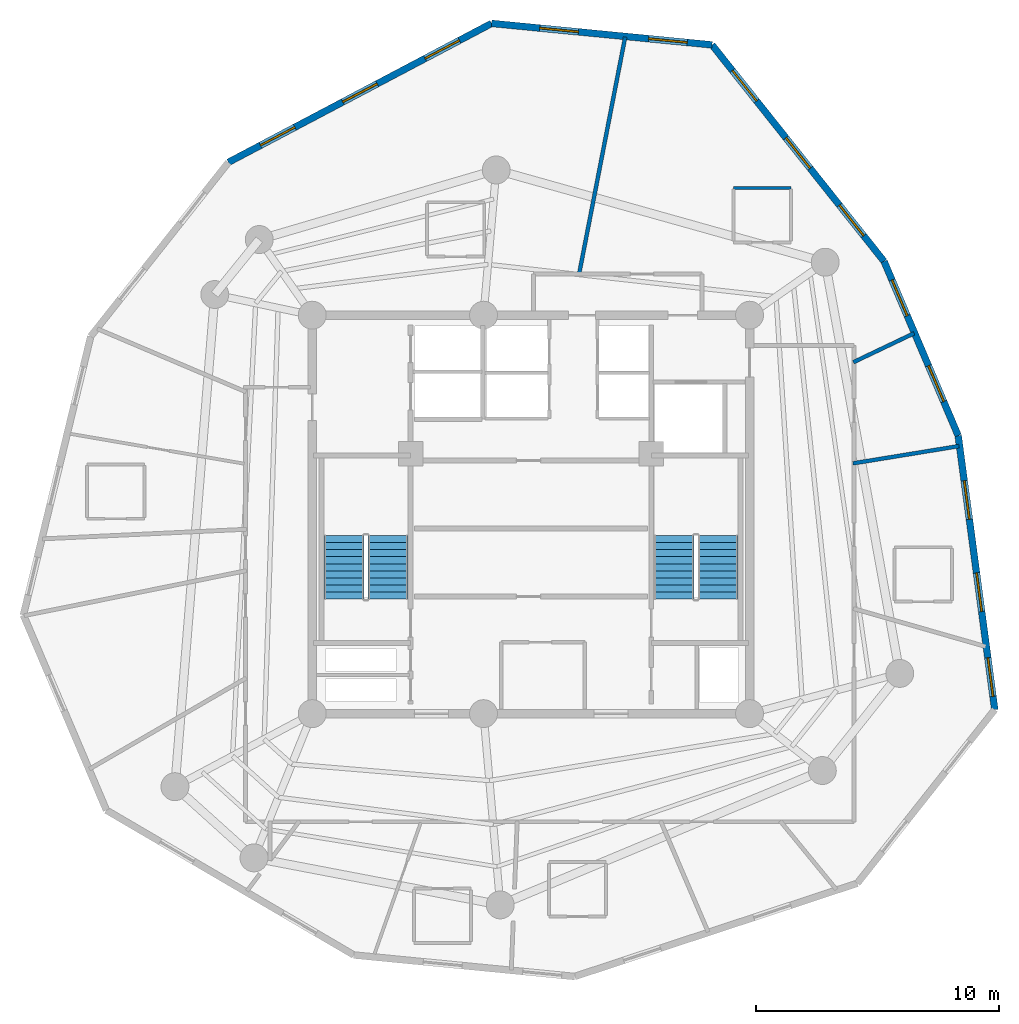
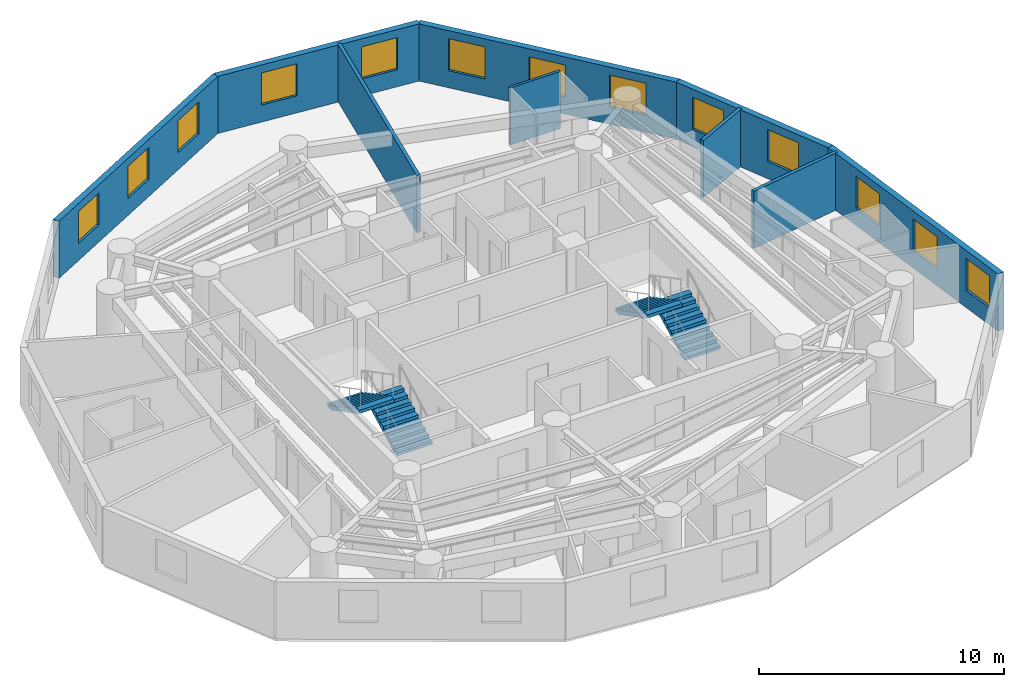
# One storey, part 6 of 7: 13 windows, 9 walls, 4 stair flights, 13 openings, 2 elements without a shape of their own.
"""IFC4 building model written with IfcOpenShell, lengths in metres."""

from ifc_helpers import new_model, si_unit, direction, frame, frame_2d, origin, origin_with_axes, place, context, subcontext, project, spatial, polyline, rectangle, outline, extrude, source, transform, mapped, material, layer, layer_set, type_object, element, fill, aggregate, save


model = new_model("IFC4")

# Units and contexts
model_context = context("Model", 3, precision=1e-05, world=origin(), true_north=direction((0.0, 1.0)))
body_context = subcontext(model_context, "Body", "Model", "MODEL_VIEW")
ifc_project = project(units=[si_unit("LENGTHUNIT", "METRE"), si_unit("AREAUNIT", "SQUARE_METRE"), si_unit("VOLUMEUNIT", "CUBIC_METRE"), si_unit("PLANEANGLEUNIT", "RADIAN"), si_unit("MASSUNIT", "GRAM", prefix="KILO")], contexts=[model_context])

# Site, building, storey
site_placement = place(None, origin())
site = spatial("IfcSite", under=ifc_project, at=site_placement, CompositionType="ELEMENT")
building_placement = place(site_placement, origin())
building = spatial("IfcBuilding", under=site, at=building_placement, Name="Karkom Vertical University and Central Library", CompositionType="ELEMENT")
storey_placement = place(building_placement, frame((0.0, 0.0, 244.35009765625)))
storey = spatial("IfcBuildingStorey", under=building, at=storey_placement, Name="L72", CompositionType="ELEMENT", Elevation=244.35009765625)

# Wall, openings, windows
ifc_material_1 = material(Name="Brick-faced precast concrete C45/55", Category="masonry")
ifc_layer_1 = layer(ifc_material_1, 0.280029296875)
ifc_layer_set_1 = layer_set([ifc_layer_1], Name="Brick-faced precast concrete C45/55")
wall_type_1 = type_object("IfcWallType", Name="ENV-WL-BRK-280", PredefinedType="SOLIDWALL", material=ifc_layer_set_1)
wall_1_placement = place(storey_placement, frame((47.593017578125, 18.464599609375, 0.0), z_axis=(0.0, 0.0, 1.0), x_axis=(-0.132294398072, 0.991210468185, 0.0)))
wall_1 = element("IfcWall", 1, at=wall_1_placement, inside=storey, type_object=wall_type_1, Name="Level 72 Brick-Faced Precast Facade Wall 06", PredefinedType="SOLIDWALL", context=body_context, shape_type="SweptSolid", body=[
    extrude(rectangle(XDim=11.380859375, YDim=0.280029296875, at=frame_2d((5.6904296875, 0.0))), origin(), (0.0, 0.0, 1.0), 2.849853515625),
])
opening_1_placement = place(wall_1_placement, frame((0.5498046875, 0.0, 0.85009765625)))
opening_1 = element("IfcOpeningElement", 2, at=opening_1_placement, cuts=wall_1, Name="Opening WN-10", PredefinedType="OPENING", context=body_context, shape_type="SweptSolid", body=[
    extrude(rectangle(XDim=1.60009765625, YDim=1.60009765625, at=frame_2d((0.800048828125, 0.800048828125))), frame((0.0, 0.14990234375, 0.0), z_axis=(0.0, -1.0, 0.0), x_axis=(1.0, 0.0, 0.0)), (0.0, 0.0, 1.0), 0.300048828125),
])
opening_2_placement = place(wall_1_placement, frame((4.076416015625, 0.0, 0.85009765625)))
opening_2 = element("IfcOpeningElement", 3, at=opening_2_placement, cuts=wall_1, Name="Opening WN-10", PredefinedType="OPENING", context=body_context, shape_type="SweptSolid", body=[
    extrude(rectangle(XDim=1.60009765625, YDim=1.60009765625, at=frame_2d((0.800048828125, 0.800048828125))), frame((0.0, 0.14990234375, 0.0), z_axis=(0.0, -1.0, 0.0), x_axis=(1.0, 0.0, 0.0)), (0.0, 0.0, 1.0), 0.300048828125),
])
opening_3_placement = place(wall_1_placement, frame((7.909912109375, 0.0, 0.85009765625)))
opening_3 = element("IfcOpeningElement", 4, at=opening_3_placement, cuts=wall_1, Name="Opening WN-10", PredefinedType="OPENING", context=body_context, shape_type="SweptSolid", body=[
    extrude(rectangle(XDim=1.60009765625, YDim=1.60009765625, at=frame_2d((0.800048828125, 0.800048828125))), frame((0.0, 0.14990234375, 0.0), z_axis=(0.0, -1.0, 0.0), x_axis=(1.0, 0.0, 0.0)), (0.0, 0.0, 1.0), 0.300048828125),
])
ifc_material_2 = material(Name="Aluminium thermal-break frame with solar-control IGU", Category="aluminium")
window_type = type_object("IfcWindowType", Name="ENV-WIN-WN-10", PartitioningType="SINGLE_PANEL", PredefinedType="WINDOW", material=ifc_material_2)
shared_shape = source(origin_with_axes(), body_context, "Body", "SweptSolid", [
    extrude(rectangle(XDim=1.60009765625, YDim=1.60009765625, at=frame_2d((0.800048828125, 0.800048828125))), frame((0.0, 0.030029296875, 0.0), z_axis=(0.0, -1.0, 0.0), x_axis=(1.0, 0.0, 0.0)), (0.0, 0.0, 1.0), 0.06005859375),
])
window_1_placement = place(opening_1_placement, origin())
window_1 = element("IfcWindow", 5, at=window_1_placement, inside=storey, type_object=window_type, Name="Level 72 Punched Window 6.1", OverallHeight=1.60009765625, OverallWidth=1.60009765625, PartitioningType="SINGLE_PANEL", PredefinedType="WINDOW", context=body_context, shape_type="MappedRepresentation", body=[
    mapped(shared_shape, transform((0.0, 0.0, 0.0), scale=1.0)),
])
fill(opening_1, window_1)
window_2_placement = place(opening_2_placement, origin())
window_2 = element("IfcWindow", 6, at=window_2_placement, inside=storey, type_object=window_type, Name="Level 72 Punched Window 6.2", OverallHeight=1.60009765625, OverallWidth=1.60009765625, PartitioningType="SINGLE_PANEL", PredefinedType="WINDOW", context=body_context, shape_type="MappedRepresentation", body=[
    mapped(shared_shape, transform((0.0, 0.0, 0.0), scale=1.0)),
])
fill(opening_2, window_2)
window_3_placement = place(opening_3_placement, origin())
window_3 = element("IfcWindow", 7, at=window_3_placement, inside=storey, type_object=window_type, Name="Level 72 Punched Window 6.3", OverallHeight=1.60009765625, OverallWidth=1.60009765625, PartitioningType="SINGLE_PANEL", PredefinedType="WINDOW", context=body_context, shape_type="MappedRepresentation", body=[
    mapped(shared_shape, transform((0.0, 0.0, 0.0), scale=1.0)),
])
fill(opening_3, window_3)

wall_2_placement = place(storey_placement, frame((46.08740234375, 29.745361328125, 0.0), z_axis=(0.0, 0.0, 1.0), x_axis=(-0.391396015151, 0.92022234233, 0.0)))
wall_2 = element("IfcWall", 8, at=wall_2_placement, inside=storey, type_object=wall_type_1, Name="Level 72 Brick-Faced Precast Facade Wall 07", PredefinedType="SOLIDWALL", context=body_context, shape_type="SweptSolid", body=[
    extrude(rectangle(XDim=7.79345703125, YDim=0.280029296875, at=frame_2d((3.896728515625, 0.0))), origin(), (0.0, 0.0, 1.0), 2.849853515625),
])
opening_4_placement = place(wall_2_placement, frame((1.52197265625, 0.0, 0.85009765625)))
opening_4 = element("IfcOpeningElement", 9, at=opening_4_placement, cuts=wall_2, Name="Opening WN-10", PredefinedType="OPENING", context=body_context, shape_type="SweptSolid", body=[
    extrude(rectangle(XDim=1.60009765625, YDim=1.60009765625, at=frame_2d((0.800048828125, 0.800048828125))), frame((0.0, 0.14990234375, 0.0), z_axis=(0.0, -1.0, 0.0), x_axis=(1.0, 0.0, 0.0)), (0.0, 0.0, 1.0), 0.300048828125),
])
opening_5_placement = place(wall_2_placement, frame((5.358642578125, 0.0, 0.85009765625)))
opening_5 = element("IfcOpeningElement", 10, at=opening_5_placement, cuts=wall_2, Name="Opening WN-10", PredefinedType="OPENING", context=body_context, shape_type="SweptSolid", body=[
    extrude(rectangle(XDim=1.60009765625, YDim=1.60009765625, at=frame_2d((0.800048828125, 0.800048828125))), frame((0.0, 0.14990234375, 0.0), z_axis=(0.0, -1.0, 0.0), x_axis=(1.0, 0.0, 0.0)), (0.0, 0.0, 1.0), 0.300048828125),
])
window_4_placement = place(opening_4_placement, origin())
window_4 = element("IfcWindow", 11, at=window_4_placement, inside=storey, type_object=window_type, Name="Level 72 Punched Window 7.1", OverallHeight=1.60009765625, OverallWidth=1.60009765625, PartitioningType="SINGLE_PANEL", PredefinedType="WINDOW", context=body_context, shape_type="MappedRepresentation", body=[
    mapped(shared_shape, transform((0.0, 0.0, 0.0), scale=1.0)),
])
fill(opening_4, window_4)
window_5_placement = place(opening_5_placement, origin())
window_5 = element("IfcWindow", 12, at=window_5_placement, inside=storey, type_object=window_type, Name="Level 72 Punched Window 7.2", OverallHeight=1.60009765625, OverallWidth=1.60009765625, PartitioningType="SINGLE_PANEL", PredefinedType="WINDOW", context=body_context, shape_type="MappedRepresentation", body=[
    mapped(shared_shape, transform((0.0, 0.0, 0.0), scale=1.0)),
])
fill(opening_5, window_5)

wall_3_placement = place(storey_placement, frame((43.037109375, 36.9169921875, 0.0), z_axis=(0.0, 0.0, 1.0), x_axis=(-0.622204013182, 0.782855137289, 0.0)))
wall_3 = element("IfcWall", 13, at=wall_3_placement, inside=storey, type_object=wall_type_1, Name="Level 72 Brick-Faced Precast Facade Wall 08", PredefinedType="SOLIDWALL", context=body_context, shape_type="SweptSolid", body=[
    extrude(rectangle(XDim=11.381103515625, YDim=0.280029296875, at=frame_2d((5.6904296875, 0.0))), origin(), (0.0, 0.0, 1.0), 2.849853515625),
])
opening_6_placement = place(wall_3_placement, frame((1.35009765625, 0.0, 0.85009765625)))
opening_6 = element("IfcOpeningElement", 14, at=opening_6_placement, cuts=wall_3, Name="Opening WN-10", PredefinedType="OPENING", context=body_context, shape_type="SweptSolid", body=[
    extrude(rectangle(XDim=1.60009765625, YDim=1.60009765625, at=frame_2d((0.800048828125, 0.800048828125))), frame((0.0, 0.14990234375, 0.0), z_axis=(0.0, -1.0, 0.0), x_axis=(1.0, 0.0, 0.0)), (0.0, 0.0, 1.0), 0.300048828125),
])
opening_7_placement = place(wall_3_placement, frame((4.890380859375, 0.0, 0.85009765625)))
opening_7 = element("IfcOpeningElement", 15, at=opening_7_placement, cuts=wall_3, Name="Opening WN-10", PredefinedType="OPENING", context=body_context, shape_type="SweptSolid", body=[
    extrude(rectangle(XDim=1.60009765625, YDim=1.60009765625, at=frame_2d((0.800048828125, 0.800048828125))), frame((0.0, 0.14990234375, 0.0), z_axis=(0.0, -1.0, 0.0), x_axis=(1.0, 0.0, 0.0)), (0.0, 0.0, 1.0), 0.300048828125),
])
opening_8_placement = place(wall_3_placement, frame((8.430908203125, 0.0, 0.85009765625)))
opening_8 = element("IfcOpeningElement", 16, at=opening_8_placement, cuts=wall_3, Name="Opening WN-10", PredefinedType="OPENING", context=body_context, shape_type="SweptSolid", body=[
    extrude(rectangle(XDim=1.60009765625, YDim=1.60009765625, at=frame_2d((0.800048828125, 0.800048828125))), frame((0.0, 0.14990234375, 0.0), z_axis=(0.0, -1.0, 0.0), x_axis=(1.0, 0.0, 0.0)), (0.0, 0.0, 1.0), 0.300048828125),
])
window_6_placement = place(opening_6_placement, origin())
window_6 = element("IfcWindow", 17, at=window_6_placement, inside=storey, type_object=window_type, Name="Level 72 Punched Window 8.1", OverallHeight=1.60009765625, OverallWidth=1.60009765625, PartitioningType="SINGLE_PANEL", PredefinedType="WINDOW", context=body_context, shape_type="MappedRepresentation", body=[
    mapped(shared_shape, transform((0.0, 0.0, 0.0), scale=1.0)),
])
fill(opening_6, window_6)
window_7_placement = place(opening_7_placement, origin())
window_7 = element("IfcWindow", 18, at=window_7_placement, inside=storey, type_object=window_type, Name="Level 72 Punched Window 8.2", OverallHeight=1.60009765625, OverallWidth=1.60009765625, PartitioningType="SINGLE_PANEL", PredefinedType="WINDOW", context=body_context, shape_type="MappedRepresentation", body=[
    mapped(shared_shape, transform((0.0, 0.0, 0.0), scale=1.0)),
])
fill(opening_7, window_7)
window_8_placement = place(opening_8_placement, origin())
window_8 = element("IfcWindow", 19, at=window_8_placement, inside=storey, type_object=window_type, Name="Level 72 Punched Window 8.3", OverallHeight=1.60009765625, OverallWidth=1.60009765625, PartitioningType="SINGLE_PANEL", PredefinedType="WINDOW", context=body_context, shape_type="MappedRepresentation", body=[
    mapped(shared_shape, transform((0.0, 0.0, 0.0), scale=1.0)),
])
fill(opening_8, window_8)

wall_4_placement = place(storey_placement, frame((35.955810546875, 45.82666015625, 0.0), z_axis=(0.0, 0.0, 1.0), x_axis=(-0.995292858233, 0.096912983398, 0.0)))
wall_4 = element("IfcWall", 20, at=wall_4_placement, inside=storey, type_object=wall_type_1, Name="Level 72 Brick-Faced Precast Facade Wall 09", PredefinedType="SOLIDWALL", context=body_context, shape_type="SweptSolid", body=[
    extrude(rectangle(XDim=9.116943359375, YDim=0.280029296875, at=frame_2d((4.55859375, 0.0))), origin(), (0.0, 0.0, 1.0), 2.849853515625),
])
opening_9_placement = place(wall_4_placement, frame((1.026611328125, 0.0, 0.85009765625)))
opening_9 = element("IfcOpeningElement", 21, at=opening_9_placement, cuts=wall_4, Name="Opening WN-10", PredefinedType="OPENING", context=body_context, shape_type="SweptSolid", body=[
    extrude(rectangle(XDim=1.60009765625, YDim=1.60009765625, at=frame_2d((0.800048828125, 0.800048828125))), frame((0.0, 0.14990234375, 0.0), z_axis=(0.0, -1.0, 0.0), x_axis=(1.0, 0.0, 0.0)), (0.0, 0.0, 1.0), 0.300048828125),
])
opening_10_placement = place(wall_4_placement, frame((5.525146484375, 0.0, 0.85009765625)))
opening_10 = element("IfcOpeningElement", 22, at=opening_10_placement, cuts=wall_4, Name="Opening WN-10", PredefinedType="OPENING", context=body_context, shape_type="SweptSolid", body=[
    extrude(rectangle(XDim=1.60009765625, YDim=1.60009765625, at=frame_2d((0.800048828125, 0.800048828125))), frame((0.0, 0.14990234375, 0.0), z_axis=(0.0, -1.0, 0.0), x_axis=(1.0, 0.0, 0.0)), (0.0, 0.0, 1.0), 0.300048828125),
])
window_9_placement = place(opening_9_placement, origin())
window_9 = element("IfcWindow", 23, at=window_9_placement, inside=storey, type_object=window_type, Name="Level 72 Punched Window 9.1", OverallHeight=1.60009765625, OverallWidth=1.60009765625, PartitioningType="SINGLE_PANEL", PredefinedType="WINDOW", context=body_context, shape_type="MappedRepresentation", body=[
    mapped(shared_shape, transform((0.0, 0.0, 0.0), scale=1.0)),
])
fill(opening_9, window_9)
window_10_placement = place(opening_10_placement, origin())
window_10 = element("IfcWindow", 24, at=window_10_placement, inside=storey, type_object=window_type, Name="Level 72 Punched Window 9.2", OverallHeight=1.60009765625, OverallWidth=1.60009765625, PartitioningType="SINGLE_PANEL", PredefinedType="WINDOW", context=body_context, shape_type="MappedRepresentation", body=[
    mapped(shared_shape, transform((0.0, 0.0, 0.0), scale=1.0)),
])
fill(opening_10, window_10)

wall_5_placement = place(storey_placement, frame((26.8818359375, 46.710205078125, 0.0), z_axis=(0.0, 0.0, 1.0), x_axis=(-0.884413549513, -0.466704053376, 0.0)))
wall_5 = element("IfcWall", 25, at=wall_5_placement, inside=storey, type_object=wall_type_1, Name="Level 72 Brick-Faced Precast Facade Wall 10", PredefinedType="SOLIDWALL", context=body_context, shape_type="SweptSolid", body=[
    extrude(rectangle(XDim=12.248291015625, YDim=0.280029296875, at=frame_2d((6.1240234375, 0.0))), origin(), (0.0, 0.0, 1.0), 2.849853515625),
])
opening_11_placement = place(wall_5_placement, frame((1.49462890625, 0.0, 0.85009765625)))
opening_11 = element("IfcOpeningElement", 26, at=opening_11_placement, cuts=wall_5, Name="Opening WN-10", PredefinedType="OPENING", context=body_context, shape_type="SweptSolid", body=[
    extrude(rectangle(XDim=1.60009765625, YDim=1.60009765625, at=frame_2d((0.800048828125, 0.800048828125))), frame((0.0, 0.14990234375, 0.0), z_axis=(0.0, -1.0, 0.0), x_axis=(1.0, 0.0, 0.0)), (0.0, 0.0, 1.0), 0.300048828125),
])
opening_12_placement = place(wall_5_placement, frame((5.32421875, 0.0, 0.85009765625)))
opening_12 = element("IfcOpeningElement", 27, at=opening_12_placement, cuts=wall_5, Name="Opening WN-10", PredefinedType="OPENING", context=body_context, shape_type="SweptSolid", body=[
    extrude(rectangle(XDim=1.60009765625, YDim=1.60009765625, at=frame_2d((0.800048828125, 0.800048828125))), frame((0.0, 0.14990234375, 0.0), z_axis=(0.0, -1.0, 0.0), x_axis=(1.0, 0.0, 0.0)), (0.0, 0.0, 1.0), 0.300048828125),
])
opening_13_placement = place(wall_5_placement, frame((9.15380859375, 0.0, 0.85009765625)))
opening_13 = element("IfcOpeningElement", 28, at=opening_13_placement, cuts=wall_5, Name="Opening WN-10", PredefinedType="OPENING", context=body_context, shape_type="SweptSolid", body=[
    extrude(rectangle(XDim=1.60009765625, YDim=1.60009765625, at=frame_2d((0.800048828125, 0.800048828125))), frame((0.0, 0.14990234375, 0.0), z_axis=(0.0, -1.0, 0.0), x_axis=(1.0, 0.0, 0.0)), (0.0, 0.0, 1.0), 0.300048828125),
])
window_11_placement = place(opening_11_placement, origin())
window_11 = element("IfcWindow", 29, at=window_11_placement, inside=storey, type_object=window_type, Name="Level 72 Punched Window 10.1", OverallHeight=1.60009765625, OverallWidth=1.60009765625, PartitioningType="SINGLE_PANEL", PredefinedType="WINDOW", context=body_context, shape_type="MappedRepresentation", body=[
    mapped(shared_shape, transform((0.0, 0.0, 0.0), scale=1.0)),
])
fill(opening_11, window_11)
window_12_placement = place(opening_12_placement, origin())
window_12 = element("IfcWindow", 30, at=window_12_placement, inside=storey, type_object=window_type, Name="Level 72 Punched Window 10.2", OverallHeight=1.60009765625, OverallWidth=1.60009765625, PartitioningType="SINGLE_PANEL", PredefinedType="WINDOW", context=body_context, shape_type="MappedRepresentation", body=[
    mapped(shared_shape, transform((0.0, 0.0, 0.0), scale=1.0)),
])
fill(opening_12, window_12)
window_13_placement = place(opening_13_placement, origin())
window_13 = element("IfcWindow", 31, at=window_13_placement, inside=storey, type_object=window_type, Name="Level 72 Punched Window 10.3", OverallHeight=1.60009765625, OverallWidth=1.60009765625, PartitioningType="SINGLE_PANEL", PredefinedType="WINDOW", context=body_context, shape_type="MappedRepresentation", body=[
    mapped(shared_shape, transform((0.0, 0.0, 0.0), scale=1.0)),
])
fill(opening_13, window_13)

# Walls
ifc_material_3 = material(Name="Insulated metal-stud drywall 160mm", Category="gypsum")
ifc_layer_2 = layer(ifc_material_3, 0.159912109375)
ifc_layer_set_2 = layer_set([ifc_layer_2], Name="Insulated metal-stud drywall 160mm")
wall_type_2 = type_object("IfcWallType", Name="INT-WL-COR-160", PredefinedType="PARTITIONING", material=ifc_layer_set_2)
wall_6_placement = place(storey_placement, frame((30.479736328125, 36.37060546875, 0.0), z_axis=(0.0, 0.0, 1.0), x_axis=(0.19081586973, 0.981625847184, 0.0)))
element("IfcWall", 32, at=wall_6_placement, inside=storey, type_object=wall_type_2, Name="Level 72 Interior Partition Wall L72-PW-014", PredefinedType="PARTITIONING", context=body_context, shape_type="SweptSolid", body=[
    extrude(rectangle(XDim=9.9619140625, YDim=0.159912109375, at=frame_2d((4.98095703125, 0.0))), origin(), (0.0, 0.0, 1.0), 2.849853515625),
])
wall_7_placement = place(storey_placement, frame((41.755615234375, 28.60107421875, 0.0), z_axis=(0.0, 0.0, 1.0), x_axis=(0.986955090254, 0.160995806846, 0.0)))
element("IfcWall", 33, at=wall_7_placement, inside=storey, type_object=wall_type_2, Name="Level 72 Interior Partition Wall L72-PW-012", PredefinedType="PARTITIONING", context=body_context, shape_type="SweptSolid", body=[
    extrude(rectangle(XDim=4.421875, YDim=0.159912109375, at=frame_2d((2.2109375, 0.0))), origin(), (0.0, 0.0, 1.0), 2.849853515625),
])
wall_8_placement = place(storey_placement, frame((41.77294921875, 32.764404296875, 0.0), z_axis=(0.0, 0.0, 1.0), x_axis=(0.902569912069, 0.430543323985, 0.0)))
element("IfcWall", 34, at=wall_8_placement, inside=storey, type_object=wall_type_2, Name="Level 72 Interior Partition Wall L72-PW-013", PredefinedType="PARTITIONING", context=body_context, shape_type="SweptSolid", body=[
    extrude(rectangle(XDim=2.76611328125, YDim=0.159912109375, at=frame_2d((1.383056640625, 0.0))), origin(), (0.0, 0.0, 1.0), 2.849853515625),
])
ifc_material_4 = material(Name="Moisture-resistant drywall 120mm", Category="gypsum")
ifc_layer_3 = layer(ifc_material_4, 0.1201171875)
ifc_layer_set_3 = layer_set([ifc_layer_3], Name="Moisture-resistant drywall 120mm")
wall_type_3 = type_object("IfcWallType", Name="INT-WL-INT-120F", PredefinedType="PARTITIONING", material=ifc_layer_set_3)
wall_9_placement = place(storey_placement, frame((39.200927734375, 39.93896484375, 0.0), z_axis=(0.0, 0.0, 1.0), x_axis=(-1.0, 0.0, 0.0)))
element("IfcWall", 35, at=wall_9_placement, inside=storey, type_object=wall_type_3, Name="Level 72 Interior Partition Wall L72-ENS-49-N", PredefinedType="PARTITIONING", context=body_context, shape_type="SweptSolid", body=[
    extrude(rectangle(XDim=2.35986328125, YDim=0.1201171875, at=frame_2d((1.179931640625, 0.0))), origin(), (0.0, 0.0, 1.0), 2.849853515625),
])

# Stair, stair flights
ifc_material_5 = material(Name="Concrete C45/55", Category="concrete")
stair_type = type_object("IfcStairType", Name="INT-STR-ST-MAIN", PredefinedType="HALF_TURN_STAIR", material=ifc_material_5)
stair_1_placement = place(storey_placement, origin())
stair_1 = element("IfcStair", 36, at=stair_1_placement, inside=storey, type_object=stair_type, Name="Level 72 Tower Protected Exit Stair ST-1", PredefinedType="HALF_TURN_STAIR")
stair_flight_type = type_object("IfcStairFlightType", Name="INT-SFL-ST-MAIN", PredefinedType="STRAIGHT", material=ifc_material_5)
stair_flight_1_placement = place(storey_placement, frame((22.614990234375, 23.02001953125, 0.0), z_axis=(0.0, 0.0, 1.0), x_axis=(0.0, 1.0, 0.0)))
stair_flight_1 = element("IfcStairFlight", 37, at=stair_flight_1_placement, type_object=stair_flight_type, Name="ST-1 flight 1", NumberOfRisers=10, NumberOfTreads=9, PredefinedType="STRAIGHT", RiserHeight=0.1525, TreadLength=0.29, context=body_context, shape_type="SweptSolid", body=[
    extrude(outline(polyline([(0.0, 0.0), (0.0, 0.152587890625), (0.2900390625, 0.152587890625), (0.2900390625, 0.304931640625), (0.580078125, 0.304931640625), (0.580078125, 0.45751953125), (0.8701171875, 0.45751953125), (0.8701171875, 0.610107421875), (1.159912109375, 0.610107421875), (1.159912109375, 0.762451171875), (1.449951171875, 0.762451171875), (1.449951171875, 0.9150390625), (1.739990234375, 0.9150390625), (1.739990234375, 1.0673828125), (2.030029296875, 1.0673828125), (2.030029296875, 1.219970703125), (2.320068359375, 1.219970703125), (2.320068359375, 1.37255859375), (2.610107421875, 1.37255859375), (2.610107421875, 1.52490234375), (2.610107421875, 1.203125), (0.322021484375, 0.0), (0.0, 0.0)])), frame((0.0, 0.824951171875, 0.0), z_axis=(0.0, -1.0, 0.0), x_axis=(1.0, 0.0, 0.0)), (0.0, 0.0, 1.0), 1.64990234375),
])
stair_flight_2_placement = place(storey_placement, frame((20.804931640625, 25.6298828125, 1.52490234375), z_axis=(0.0, 0.0, 1.0), x_axis=(0.0, -1.0, 0.0)))
stair_flight_2 = element("IfcStairFlight", 38, at=stair_flight_2_placement, type_object=stair_flight_type, Name="ST-1 flight 2", NumberOfRisers=10, NumberOfTreads=9, PredefinedType="STRAIGHT", RiserHeight=0.1525, TreadLength=0.29, context=body_context, shape_type="SweptSolid", body=[
    extrude(outline(polyline([(0.0, 0.0), (0.0, 0.152587890625), (0.2900390625, 0.152587890625), (0.2900390625, 0.304931640625), (0.580078125, 0.304931640625), (0.580078125, 0.45751953125), (0.8701171875, 0.45751953125), (0.8701171875, 0.610107421875), (1.159912109375, 0.610107421875), (1.159912109375, 0.762451171875), (1.449951171875, 0.762451171875), (1.449951171875, 0.9150390625), (1.739990234375, 0.9150390625), (1.739990234375, 1.0673828125), (2.030029296875, 1.0673828125), (2.030029296875, 1.219970703125), (2.320068359375, 1.219970703125), (2.320068359375, 1.37255859375), (2.610107421875, 1.37255859375), (2.610107421875, 1.52490234375), (2.610107421875, 1.203125), (0.322021484375, 0.0), (0.0, 0.0)])), frame((0.0, 0.824951171875, 0.0), z_axis=(0.0, -1.0, 0.0), x_axis=(1.0, 0.0, 0.0)), (0.0, 0.0, 1.0), 1.64990234375),
])
aggregate(stair_1, [stair_flight_1, stair_flight_2])

stair_2_placement = place(storey_placement, origin())
stair_2 = element("IfcStair", 39, at=stair_2_placement, inside=storey, type_object=stair_type, Name="Level 72 Tower Protected Exit Stair ST-2", PredefinedType="HALF_TURN_STAIR")
stair_flight_3_placement = place(storey_placement, frame((36.195068359375, 23.02001953125, 0.0), z_axis=(0.0, 0.0, 1.0), x_axis=(0.0, 1.0, 0.0)))
stair_flight_3 = element("IfcStairFlight", 40, at=stair_flight_3_placement, type_object=stair_flight_type, Name="ST-2 flight 1", NumberOfRisers=10, NumberOfTreads=9, PredefinedType="STRAIGHT", RiserHeight=0.1525, TreadLength=0.29, context=body_context, shape_type="SweptSolid", body=[
    extrude(outline(polyline([(0.0, 0.0), (0.0, 0.152587890625), (0.2900390625, 0.152587890625), (0.2900390625, 0.304931640625), (0.580078125, 0.304931640625), (0.580078125, 0.45751953125), (0.8701171875, 0.45751953125), (0.8701171875, 0.610107421875), (1.159912109375, 0.610107421875), (1.159912109375, 0.762451171875), (1.449951171875, 0.762451171875), (1.449951171875, 0.9150390625), (1.739990234375, 0.9150390625), (1.739990234375, 1.0673828125), (2.030029296875, 1.0673828125), (2.030029296875, 1.219970703125), (2.320068359375, 1.219970703125), (2.320068359375, 1.37255859375), (2.610107421875, 1.37255859375), (2.610107421875, 1.52490234375), (2.610107421875, 1.203125), (0.322021484375, 0.0), (0.0, 0.0)])), frame((0.0, 0.824951171875, 0.0), z_axis=(0.0, -1.0, 0.0), x_axis=(1.0, 0.0, 0.0)), (0.0, 0.0, 1.0), 1.64990234375),
])
stair_flight_4_placement = place(storey_placement, frame((34.385009765625, 25.6298828125, 1.52490234375), z_axis=(0.0, 0.0, 1.0), x_axis=(0.0, -1.0, 0.0)))
stair_flight_4 = element("IfcStairFlight", 41, at=stair_flight_4_placement, type_object=stair_flight_type, Name="ST-2 flight 2", NumberOfRisers=10, NumberOfTreads=9, PredefinedType="STRAIGHT", RiserHeight=0.1525, TreadLength=0.29, context=body_context, shape_type="SweptSolid", body=[
    extrude(outline(polyline([(0.0, 0.0), (0.0, 0.152587890625), (0.2900390625, 0.152587890625), (0.2900390625, 0.304931640625), (0.580078125, 0.304931640625), (0.580078125, 0.45751953125), (0.8701171875, 0.45751953125), (0.8701171875, 0.610107421875), (1.159912109375, 0.610107421875), (1.159912109375, 0.762451171875), (1.449951171875, 0.762451171875), (1.449951171875, 0.9150390625), (1.739990234375, 0.9150390625), (1.739990234375, 1.0673828125), (2.030029296875, 1.0673828125), (2.030029296875, 1.219970703125), (2.320068359375, 1.219970703125), (2.320068359375, 1.37255859375), (2.610107421875, 1.37255859375), (2.610107421875, 1.52490234375), (2.610107421875, 1.203125), (0.322021484375, 0.0), (0.0, 0.0)])), frame((0.0, 0.824951171875, 0.0), z_axis=(0.0, -1.0, 0.0), x_axis=(1.0, 0.0, 0.0)), (0.0, 0.0, 1.0), 1.64990234375),
])
aggregate(stair_2, [stair_flight_3, stair_flight_4])

save(model, "model.ifc")
